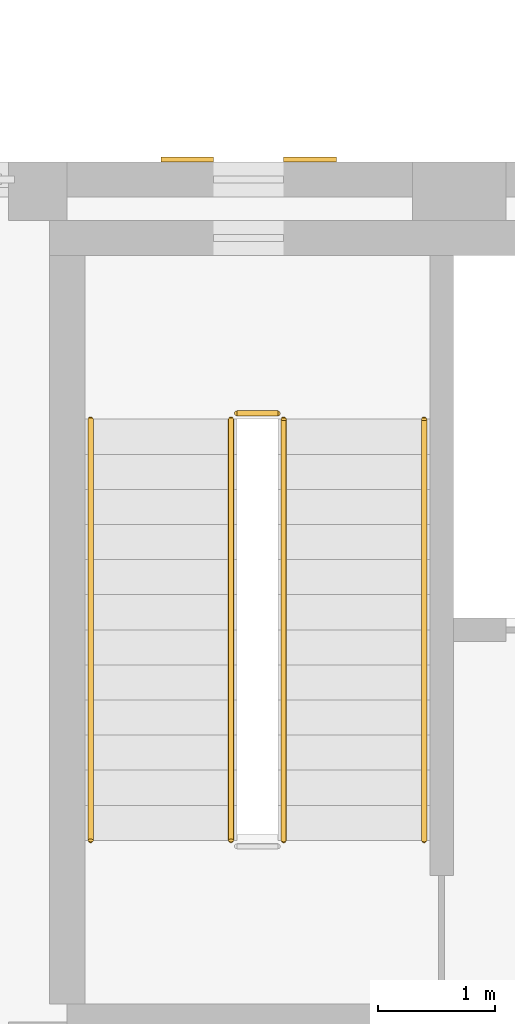
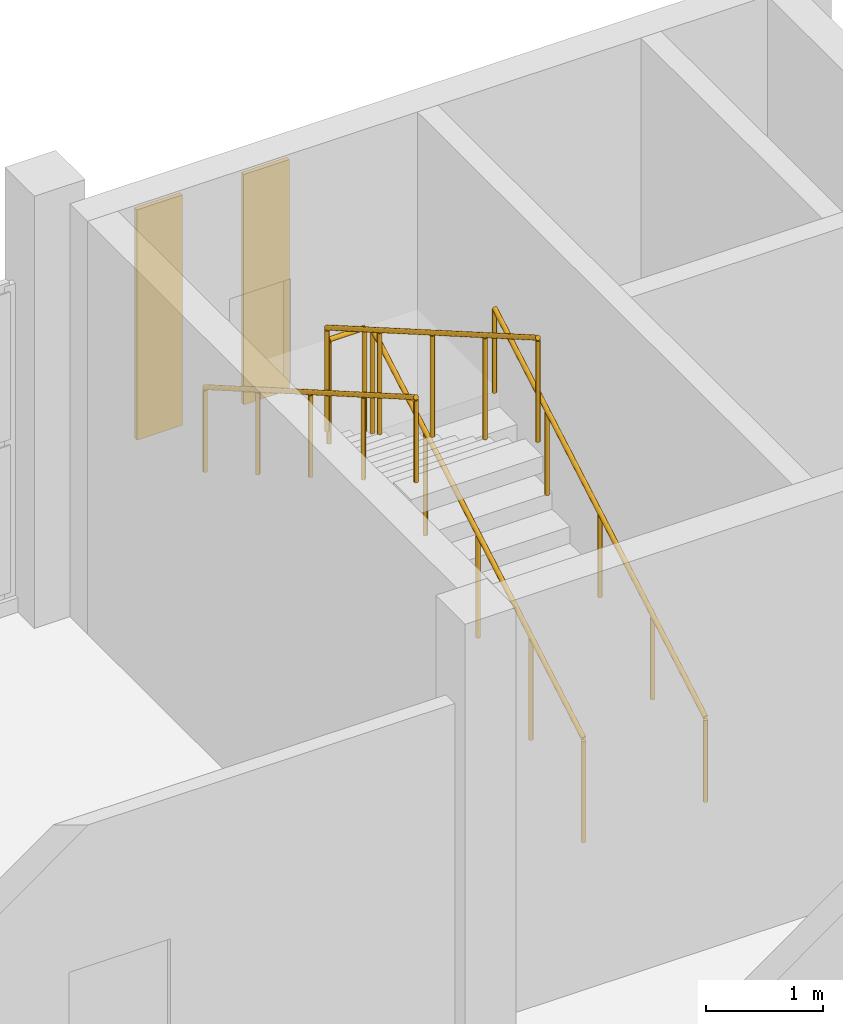
# One storey, part 41 of 58: 5 railings, 2 shading devices.
"""IFC4 building model written with IfcOpenShell, lengths in metres."""

from ifc_helpers import new_model, si_unit, direction, frame, origin, origin_2d, place, context, subcontext, project, spatial, rectangle, circle, extrude, material, layer, layer_set, type_object, element, save


model = new_model("IFC4")

# Units and contexts
model_context = context("Model", 3, precision=1e-05, world=origin(), true_north=direction((0.0, 1.0)))
body_context = subcontext(model_context, "Body", "Model", "MODEL_VIEW")
ifc_project = project(units=[si_unit("LENGTHUNIT", "METRE"), si_unit("AREAUNIT", "SQUARE_METRE"), si_unit("VOLUMEUNIT", "CUBIC_METRE"), si_unit("PLANEANGLEUNIT", "RADIAN"), si_unit("MASSUNIT", "GRAM", prefix="KILO")], contexts=[model_context])

# Site, building, storey
site_placement = place(None, origin())
site = spatial("IfcSite", under=ifc_project, at=site_placement, CompositionType="ELEMENT")
building_placement = place(site_placement, origin())
building = spatial("IfcBuilding", under=site, at=building_placement, Name="Ussher Court Research Institute", CompositionType="ELEMENT")
storey_placement = place(building_placement, frame((0.0, 0.0, 9.89990234375)))
storey = spatial("IfcBuildingStorey", under=building, at=storey_placement, Name="L02", CompositionType="ELEMENT", Elevation=9.89990234375)

# Shading devices
ifc_material_1 = material(Name="Timber louvred shutter", Category="wood")
ifc_layer = layer(ifc_material_1, 0.0400390625)
ifc_layer_set = layer_set([ifc_layer], Name="Timber louvred shutter")
shading_device_type = type_object("IfcShadingDeviceType", Name="Louvred shutter leaf 450x2400", PredefinedType="USERDEFINED", material=ifc_layer_set)
for number, where, z_axis, x_axis, name in (
    (1, (76.27490234375, 40.419921875, 1.2001953125), (0.0, 0.0, 1.0), (1.0, 0.0, 0.0), "Shutter LV2 L02"),
    (2, (77.324951171875, 40.419921875, 1.2001953125), (0.0, 0.0, 1.0), (1.0, 0.0, 0.0), "Shutter LV2 L02"),
):
    element("IfcShadingDevice", number, at=place(storey_placement, frame(where, z_axis=z_axis, x_axis=x_axis)), inside=storey, type_object=shading_device_type, Name=name, ObjectType="SHUTTER", PredefinedType="USERDEFINED", context=body_context, shape_type="SweptSolid", body=[
        extrude(rectangle(XDim=0.449951171875, YDim=0.0400390625, at=origin_2d()), origin(), (0.0, 0.0, 1.0), 2.39990234375),
    ])

# Railings
ifc_material_2 = material(Name="Painted steel balustrade", Category="steel")
railing_type_1 = type_object("IfcRailingType", Name="Stair guard 1100 steel balustrade", PredefinedType="GUARDRAIL", material=ifc_material_2)
railing_1_placement = place(storey_placement, frame((77.10009765625, 34.60009765625, 0.173095703125)))
element("IfcRailing", 3, at=railing_1_placement, inside=storey, type_object=railing_type_1, Name="L02 E1 stair guard 1", PredefinedType="GUARDRAIL", context=body_context, shape_type="SweptSolid", body=[
    extrude(circle(Radius=0.02392578125, at=origin_2d()), frame((0.0, 0.0, 1.076171875), z_axis=(0.0, 0.866178740119, 0.499734319579), x_axis=(-1.0, 0.0, 0.0)), (0.0, 0.0, 1.0), 4.156005859375),
    extrude(circle(Radius=0.02099609375, at=origin_2d()), origin(), (0.0, 0.0, 1.0), 1.052001953125),
    extrude(circle(Radius=0.02099609375, at=origin_2d()), frame((0.0, 0.89990234375, 0.519287109375)), (0.0, 0.0, 1.0), 1.052001953125),
    extrude(circle(Radius=0.02099609375, at=origin_2d()), frame((0.0, 1.7998046875, 1.03857421875)), (0.0, 0.0, 1.0), 1.052001953125),
    extrude(circle(Radius=0.02099609375, at=origin_2d()), frame((0.0, 2.699951171875, 1.5576171875)), (0.0, 0.0, 1.0), 1.052001953125),
    extrude(circle(Radius=0.02099609375, at=origin_2d()), frame((0.0, 3.599853515625, 2.076904296875)), (0.0, 0.0, 1.0), 1.052001953125),
])
railing_2_placement = place(storey_placement, frame((77.050048828125, 38.25, 2.25)))
element("IfcRailing", 4, at=railing_2_placement, inside=storey, type_object=railing_type_1, Name="L02 E1 stair guard 2", PredefinedType="GUARDRAIL", context=body_context, shape_type="SweptSolid", body=[
    extrude(circle(Radius=0.02392578125, at=origin_2d()), frame((0.0, 0.0, 1.076171875), z_axis=(-1.0, 0.0, 0.0), x_axis=(0.0, -1.0, 0.0)), (0.0, 0.0, 1.0), 0.35009765625),
    extrude(circle(Radius=0.02099609375, at=origin_2d()), origin(), (0.0, 0.0, 1.0), 1.052001953125),
    extrude(circle(Radius=0.02099609375, at=origin_2d()), frame((-0.35009765625, 0.0, 0.0)), (0.0, 0.0, 1.0), 1.052001953125),
])
railing_3_placement = place(storey_placement, frame((76.64990234375, 38.199951171875, 2.423095703125)))
element("IfcRailing", 5, at=railing_3_placement, inside=storey, type_object=railing_type_1, Name="L02 E1 stair guard 3", PredefinedType="GUARDRAIL", context=body_context, shape_type="SweptSolid", body=[
    extrude(circle(Radius=0.02392578125, at=origin_2d()), frame((0.0, 0.0, 1.076171875), z_axis=(0.0, -0.866178740119, 0.499734319579), x_axis=(1.0, 0.0, 0.0)), (0.0, 0.0, 1.0), 4.156005859375),
    extrude(circle(Radius=0.02099609375, at=origin_2d()), origin(), (0.0, 0.0, 1.0), 1.052001953125),
    extrude(circle(Radius=0.02099609375, at=origin_2d()), frame((0.0, -0.89990234375, 0.519287109375)), (0.0, 0.0, 1.0), 1.052001953125),
    extrude(circle(Radius=0.02099609375, at=origin_2d()), frame((0.0, -1.7998046875, 1.03857421875)), (0.0, 0.0, 1.0), 1.052001953125),
    extrude(circle(Radius=0.02099609375, at=origin_2d()), frame((0.0, -2.699951171875, 1.5576171875)), (0.0, 0.0, 1.0), 1.052001953125),
    extrude(circle(Radius=0.02099609375, at=origin_2d()), frame((0.0, -3.599853515625, 2.076904296875)), (0.0, 0.0, 1.0), 1.052001953125),
])
ifc_material_3 = material(Name="Painted steel handrail", Category="steel")
railing_type_2 = type_object("IfcRailingType", Name="Stair handrail 900 steel", PredefinedType="HANDRAIL", material=ifc_material_3)
railing_4_placement = place(storey_placement, frame((78.300048828125, 34.60009765625, 0.173095703125)))
element("IfcRailing", 6, at=railing_4_placement, inside=storey, type_object=railing_type_2, Name="L02 E1 stair handrail 1", PredefinedType="HANDRAIL", context=body_context, shape_type="SweptSolid", body=[
    extrude(circle(Radius=0.02392578125, at=origin_2d()), frame((0.0, 0.0, 0.8759765625), z_axis=(0.0, 0.866178740119, 0.499734319579), x_axis=(-1.0, 0.0, 0.0)), (0.0, 0.0, 1.0), 4.156005859375),
    extrude(circle(Radius=0.02099609375, at=origin_2d()), origin(), (0.0, 0.0, 1.0), 0.851806640625),
    extrude(circle(Radius=0.02099609375, at=origin_2d()), frame((0.0, 0.89990234375, 0.519287109375)), (0.0, 0.0, 1.0), 0.851806640625),
    extrude(circle(Radius=0.02099609375, at=origin_2d()), frame((0.0, 1.7998046875, 1.03857421875)), (0.0, 0.0, 1.0), 0.851806640625),
    extrude(circle(Radius=0.02099609375, at=origin_2d()), frame((0.0, 2.699951171875, 1.5576171875)), (0.0, 0.0, 1.0), 0.851806640625),
    extrude(circle(Radius=0.02099609375, at=origin_2d()), frame((0.0, 3.599853515625, 2.076904296875)), (0.0, 0.0, 1.0), 0.851806640625),
])
railing_5_placement = place(storey_placement, frame((75.449951171875, 38.199951171875, 2.423095703125)))
element("IfcRailing", 7, at=railing_5_placement, inside=storey, type_object=railing_type_2, Name="L02 E1 stair handrail 2", PredefinedType="HANDRAIL", context=body_context, shape_type="SweptSolid", body=[
    extrude(circle(Radius=0.02392578125, at=origin_2d()), frame((0.0, 0.0, 0.8759765625), z_axis=(0.0, -0.866178740119, 0.499734319579), x_axis=(1.0, 0.0, 0.0)), (0.0, 0.0, 1.0), 4.156005859375),
    extrude(circle(Radius=0.02099609375, at=origin_2d()), origin(), (0.0, 0.0, 1.0), 0.851806640625),
    extrude(circle(Radius=0.02099609375, at=origin_2d()), frame((0.0, -0.89990234375, 0.519287109375)), (0.0, 0.0, 1.0), 0.851806640625),
    extrude(circle(Radius=0.02099609375, at=origin_2d()), frame((0.0, -1.7998046875, 1.03857421875)), (0.0, 0.0, 1.0), 0.851806640625),
    extrude(circle(Radius=0.02099609375, at=origin_2d()), frame((0.0, -2.699951171875, 1.5576171875)), (0.0, 0.0, 1.0), 0.851806640625),
    extrude(circle(Radius=0.02099609375, at=origin_2d()), frame((0.0, -3.599853515625, 2.076904296875)), (0.0, 0.0, 1.0), 0.851806640625),
])

save(model, "model.ifc")
